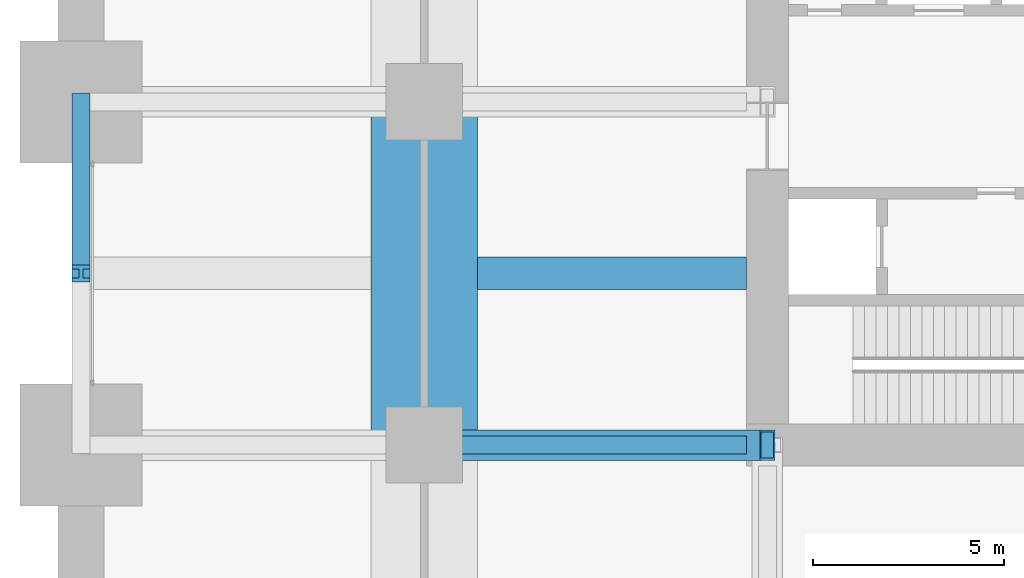
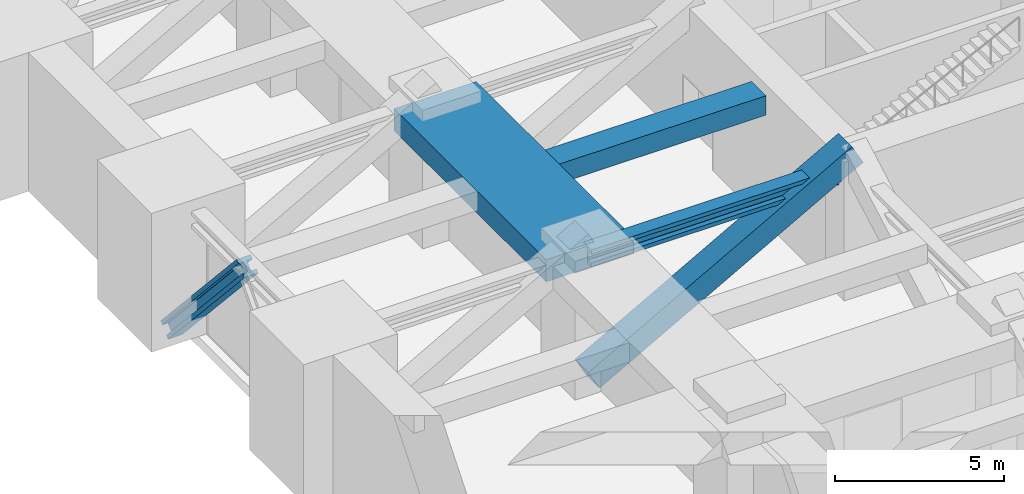
# One storey, part 10 of 38: 3 beams, 2 members.
"""IFC4 building model written with IfcOpenShell, lengths in metres."""

import ifcopenshell
import ifcopenshell.guid

model = None  # the IFC model being written
_history = None  # IfcOwnerHistory: only IFC2X3 demands one
_inside = {}  # id of a spatial element -> (the spatial element, [elements in it])
_under = {}  # id of a project, library or spatial element -> (it, [spatial elements below it])
_declared = {}  # id of a project -> (the project, [libraries it declares])
_typed = {}  # id of a type object -> (the type object, [elements of that type])
_made_of = {}  # id of a material, layer set ... -> (it, [elements and type objects made of it])


def new_model(schema):
    """Start an empty IFC model of exactly this schema.

    Asked for "IFC4X3", IfcOpenShell would pick the latest addendum, in which some entities
    have other attributes; the version numbers below select the first issue.
    IFC2X3 requires an IfcOwnerHistory on every rooted entity: one is made here for all.
    """
    global model, _history
    if schema == "IFC4X3":
        model = ifcopenshell.file(schema_version=(4, 3, 0, 0))
    else:
        model = ifcopenshell.file(schema=schema)
    _inside.clear()
    _under.clear()
    _declared.clear()
    _typed.clear()
    _made_of.clear()
    _history = None
    if model.schema == "IFC2X3":
        org = make("IfcOrganization", Name="unknown")
        user = make(
            "IfcPersonAndOrganization",
            ThePerson=make("IfcPerson", FamilyName="unknown"),
            TheOrganization=org,
        )
        app = make(
            "IfcApplication",
            ApplicationDeveloper=org,
            Version="unknown",
            ApplicationFullName="unknown",
            ApplicationIdentifier="unknown",
        )
        _history = make(
            "IfcOwnerHistory",
            OwningUser=user,
            OwningApplication=app,
            ChangeAction="ADDED",
            CreationDate=0,
        )
    return model


def make(cls, **values):
    """One entity of the class cls with the attributes given. An attribute that is None is left unset."""
    return model.create_entity(
        cls, **{name: value for name, value in values.items() if value is not None}
    )


def rooted(cls, **values):
    """An entity with a GlobalId (a new one), such as an element, a storey or a relation."""
    return make(cls, GlobalId=ifcopenshell.guid.new(), OwnerHistory=_history, **values)


def si_unit(unit_type, name, prefix=None):
    """IfcSIUnit, for example si_unit("LENGTHUNIT", "METRE", prefix="MILLI")."""
    return make("IfcSIUnit", UnitType=unit_type, Prefix=prefix, Name=name)


def assignment(units):
    """IfcUnitAssignment: the units of a project."""
    return None if units is None else make("IfcUnitAssignment", Units=units)


def point(xyz):
    """IfcCartesianPoint."""
    return None if xyz is None else make("IfcCartesianPoint", Coordinates=xyz)


def direction(xyz):
    """IfcDirection."""
    return None if xyz is None else make("IfcDirection", DirectionRatios=xyz)


def frame(location, z_axis=None, x_axis=None):
    """IfcAxis2Placement3D, a coordinate frame: its origin and axes. An axis left out is left unset."""
    return make(
        "IfcAxis2Placement3D",
        Location=point(location),
        Axis=direction(z_axis),
        RefDirection=direction(x_axis),
    )


def frame_2d(location, x_axis=None):
    """IfcAxis2Placement2D, a coordinate frame in the plane: its origin and x axis."""
    return make(
        "IfcAxis2Placement2D", Location=point(location), RefDirection=direction(x_axis)
    )


def origin():
    """The frame at (0, 0, 0) with its axes left unset."""
    return frame((0.0, 0.0, 0.0))


def origin_2d():
    """The frame at (0, 0) in the plane with its x axis left unset."""
    return frame_2d((0.0, 0.0))


def place(relative_to, where):
    """IfcLocalPlacement: puts the frame where relative to a parent placement (None: the world)."""
    return make(
        "IfcLocalPlacement", PlacementRelTo=relative_to, RelativePlacement=where
    )


def context(
    kind, dimensions, precision=None, world=None, true_north=None, identifier=None
):
    """IfcGeometricRepresentationContext, for example the 3D "Model" context."""
    return make(
        "IfcGeometricRepresentationContext",
        ContextIdentifier=identifier,
        ContextType=kind,
        CoordinateSpaceDimension=dimensions,
        Precision=precision,
        WorldCoordinateSystem=world,
        TrueNorth=true_north,
    )


def subcontext(parent, identifier, kind, view, scale=None):
    """IfcGeometricRepresentationSubContext, for example "Body" below "Model"."""
    return make(
        "IfcGeometricRepresentationSubContext",
        ContextIdentifier=identifier,
        ContextType=kind,
        ParentContext=parent,
        TargetScale=scale,
        TargetView=view,
    )


def project(units=None, contexts=None):
    """IfcProject with its units and contexts."""
    return rooted(
        "IfcProject",
        Name="project",
        RepresentationContexts=contexts,
        UnitsInContext=assignment(units),
    )


def spatial(cls, under=None, at=None, **own):
    """A site, building, storey or space (cls), placed at a placement, below another one or the project."""
    s = rooted(cls, ObjectPlacement=at, **own)
    if under is not None:
        _under.setdefault(under.id(), (under, []))[1].append(s)
    return s


def profile(cls, at=None, kind="AREA", **sizes):
    """A parametric profile (cls). Its sizes go by their IFC names, for example OverallWidth=200.0."""
    return make(cls, ProfileType=kind, Position=at, **sizes)


def rectangle(**sizes):
    """IfcRectangleProfileDef."""
    return profile("IfcRectangleProfileDef", **sizes)


def hollow_rectangle(**sizes):
    """IfcRectangleHollowProfileDef."""
    return profile("IfcRectangleHollowProfileDef", **sizes)


def i_section(**sizes):
    """IfcIShapeProfileDef."""
    return profile("IfcIShapeProfileDef", **sizes)


def extrude(swept, where, along, depth):
    """IfcExtrudedAreaSolid: the profile swept, set in the frame where, extruded along a direction by depth."""
    return make(
        "IfcExtrudedAreaSolid",
        SweptArea=swept,
        Position=where,
        ExtrudedDirection=direction(along),
        Depth=depth,
    )


def shape(context_of_items, identifier, shape_type, items):
    """IfcShapeRepresentation: the items that make up one representation, for example the "Body"."""
    return make(
        "IfcShapeRepresentation",
        ContextOfItems=context_of_items,
        RepresentationIdentifier=identifier,
        RepresentationType=shape_type,
        Items=items,
    )


def material(Name=None, Category=None):
    """IfcMaterial."""
    return make("IfcMaterial", Name=Name, Category=Category)


def material_profile(
    of_material, cross_section, Name=None, Category=None, Priority=None
):
    """IfcMaterialProfile: a cross section and its material."""
    return make(
        "IfcMaterialProfile",
        Name=Name,
        Material=of_material,
        Profile=cross_section,
        Priority=Priority,
        Category=Category,
    )


def profile_set(profiles, Name=None, composite=None):
    """IfcMaterialProfileSet."""
    return make(
        "IfcMaterialProfileSet",
        Name=Name,
        MaterialProfiles=profiles,
        CompositeProfile=composite,
    )


def made_of(thing, what):
    """Note that an element or type object is made of a material, layer set ...; save() writes the relation."""
    if what is not None:
        _made_of.setdefault(what.id(), (what, []))[1].append(thing)
    return thing


def type_object(cls, material=None, **own):
    """A type object (cls), such as IfcWallType, which elements share."""
    return made_of(rooted(cls, **own), material)


def element(
    cls,
    number,
    at=None,
    inside=None,
    cuts=None,
    type_object=None,
    material=None,
    context=None,
    identifier="Body",
    shape_type=None,
    held_by="IfcProductDefinitionShape",
    body=None,
    shapes=None,
    **own,
):
    """One element of the class cls, such as IfcWall. Its Tag is "e" and its number.

    at: its placement. inside: the storey or other place that contains it. cuts: it is an
    opening in that element (IfcRelVoidsElement). A single representation is given by context,
    identifier, shape_type and body (its items); several are given by shapes. held_by: the class
    of the entity that holds the representations. save() writes the other relations.
    """
    e = rooted(cls, Tag="e%d" % number, ObjectPlacement=at, **own)
    if body is not None:
        shapes = [shape(context, identifier, shape_type, body)]
    if shapes is not None:
        e.Representation = make(held_by, Representations=shapes)
    if inside is not None:
        _inside.setdefault(inside.id(), (inside, []))[1].append(e)
    if cuts is not None:
        rooted(
            "IfcRelVoidsElement", RelatingBuildingElement=cuts, RelatedOpeningElement=e
        )
    if type_object is not None:
        _typed.setdefault(type_object.id(), (type_object, []))[1].append(e)
    return made_of(e, material)


def aggregate(whole, parts):
    """IfcRelAggregates: a whole, such as a stair, and the parts it consists of."""
    return rooted("IfcRelAggregates", RelatingObject=whole, RelatedObjects=parts)


def save(model, path):
    """Write the relations noted so far, then the file.

    IfcRelAggregates (storeys below a building ...), IfcRelContainedInSpatialStructure (elements
    in a storey), IfcRelDefinesByType, IfcRelAssociatesMaterial and IfcRelDeclares: one each for
    every whole, place, type object, material and project.
    """
    for whole, parts in _under.values():
        aggregate(whole, parts)
    for where, things in _inside.values():
        rooted(
            "IfcRelContainedInSpatialStructure",
            RelatedElements=things,
            RelatingStructure=where,
        )
    for kind, things in _typed.values():
        rooted("IfcRelDefinesByType", RelatedObjects=things, RelatingType=kind)
    for what, things in _made_of.values():
        rooted("IfcRelAssociatesMaterial", RelatedObjects=things, RelatingMaterial=what)
    for by, libraries in _declared.values():
        rooted("IfcRelDeclares", RelatingContext=by, RelatedDefinitions=libraries)
    model.write(path)


model = new_model("IFC4")

# Units and contexts
model_context = context("Model", 3, precision=1e-05, world=origin(), true_north=direction((0.0, 1.0)))
body_context = subcontext(model_context, "Body", "Model", "MODEL_VIEW")
ifc_project = project(units=[si_unit("LENGTHUNIT", "METRE"), si_unit("AREAUNIT", "SQUARE_METRE"), si_unit("VOLUMEUNIT", "CUBIC_METRE"), si_unit("PLANEANGLEUNIT", "RADIAN"), si_unit("MASSUNIT", "GRAM", prefix="KILO")], contexts=[model_context])

# Site, building, storey
site_placement = place(None, origin())
site = spatial("IfcSite", under=ifc_project, at=site_placement, CompositionType="ELEMENT")
building_placement = place(site_placement, origin())
building = spatial("IfcBuilding", under=site, at=building_placement, Name="Zorevar Civic Tower", CompositionType="ELEMENT")
storey_placement = place(building_placement, frame((0.0, 0.0, 157.199951171875)))
storey = spatial("IfcBuildingStorey", under=building, at=storey_placement, Name="L38", CompositionType="ELEMENT", Elevation=157.199951171875)

# Beams
ifc_material_1 = material(Name="Concrete C50/60", Category="concrete")
ifc_material_profile_1 = material_profile(ifc_material_1, rectangle(XDim=2.800048828125, YDim=0.800048828125, at=origin_2d()), Name="RC 2800x800")
ifc_profile_set_1 = profile_set([ifc_material_profile_1], Name="Concrete C50/60")
beam_type_1 = type_object("IfcBeamType", Name="Beam RC 2800x800", PredefinedType="BEAM", material=ifc_profile_set_1)
beam_1_placement = place(storey_placement, frame((9.0, 18.0, 4.199951171875), z_axis=(0.0, 1.0, 0.0), x_axis=(-1.0, 0.0, 0.0)))
element("IfcBeam", 1, at=beam_1_placement, inside=storey, type_object=beam_type_1, Name="Girder L39", PredefinedType="BEAM", context=body_context, shape_type="SweptSolid", body=[
    extrude(rectangle(XDim=2.800048828125, YDim=0.800048828125, at=origin_2d()), origin(), (0.0, 0.0, 1.0), 9.0),
])
ifc_material_2 = material(Name="Concrete C50/60", Category="concrete")
ifc_material_profile_2 = material_profile(ifc_material_2, rectangle(XDim=0.85009765625, YDim=0.699951171875, at=origin_2d()), Name="RC 850x700")
ifc_profile_set_2 = profile_set([ifc_material_profile_2], Name="Concrete C50/60")
beam_type_2 = type_object("IfcBeamType", Name="Beam RC 850x700", PredefinedType="BEAM", material=ifc_profile_set_2)
beam_2_placement = place(storey_placement, frame((10.39990234375, 22.5, 4.25), z_axis=(1.0, 0.0, 0.0), x_axis=(0.0, 1.0, 0.0)))
element("IfcBeam", 2, at=beam_2_placement, inside=storey, type_object=beam_type_2, Name="Secondary beam L39", PredefinedType="BEAM", context=body_context, shape_type="SweptSolid", body=[
    extrude(rectangle(XDim=0.85009765625, YDim=0.699951171875, at=origin_2d()), origin(), (0.0, 0.0, 1.0), 7.050048828125),
])

# Member
ifc_material_3 = material(Name="Steel S460M (HISTAR 460)", Category="steel")
ifc_material_profile_3 = material_profile(ifc_material_3, i_section(OverallWidth=0.47607421875, OverallDepth=0.60009765625, WebThickness=0.10009765625, FlangeThickness=0.139892578125, FilletRadius=0.014892578125, at=origin_2d()), Name="HD 400x1299")
ifc_profile_set_3 = profile_set([ifc_material_profile_3], Name="Steel S460M (HISTAR 460)")
member_type_1 = type_object("IfcMemberType", Name="Belt strut HD 400x1299", PredefinedType="BRACE", material=ifc_profile_set_3)
member_1_placement = place(storey_placement, frame((0.0, 27.0, -0.64990234375), z_axis=(0.0, -0.672676426978, 0.739936770669), x_axis=(1.0, 0.0, 0.0)))
element("IfcMember", 3, at=member_1_placement, inside=storey, type_object=member_type_1, Name="Belt strut W L38", PredefinedType="BRACE", context=body_context, shape_type="SweptSolid", body=[
    extrude(i_section(OverallWidth=0.47607421875, OverallDepth=0.60009765625, WebThickness=0.10009765625, FlangeThickness=0.139892578125, FilletRadius=0.014892578125, at=origin_2d()), origin(), (0.0, 0.0, 1.0), 6.689697265625),
])

# Beam
ifc_material_4 = material(Name="Steel S460M (HISTAR 460)", Category="steel")
ifc_material_profile_4 = material_profile(ifc_material_4, i_section(OverallWidth=0.47607421875, OverallDepth=0.60009765625, WebThickness=0.10009765625, FlangeThickness=0.139892578125, FilletRadius=0.014892578125, at=origin_2d()), Name="HD 400x1299")
ifc_profile_set_4 = profile_set([ifc_material_profile_4], Name="Steel S460M (HISTAR 460)")
beam_type_3 = type_object("IfcBeamType", Name="Outrigger chord HD 400x1299", PredefinedType="BEAM", material=ifc_profile_set_4)
beam_3_placement = place(storey_placement, frame((9.0, 18.0, 4.300048828125), z_axis=(1.0, 0.0, 0.0), x_axis=(0.0, 1.0, 0.0)))
element("IfcBeam", 4, at=beam_3_placement, inside=storey, type_object=beam_type_3, Name="Outrigger chord L39", PredefinedType="BEAM", context=body_context, shape_type="SweptSolid", body=[
    extrude(i_section(OverallWidth=0.47607421875, OverallDepth=0.60009765625, WebThickness=0.10009765625, FlangeThickness=0.139892578125, FilletRadius=0.014892578125, at=origin_2d()), origin(), (0.0, 0.0, 1.0), 8.449951171875),
])

# Member
ifc_material_5 = material(Name="Steel S460M (HISTAR 460)", Category="steel")
ifc_material_profile_5 = material_profile(ifc_material_5, hollow_rectangle(XDim=0.800048828125, YDim=0.800048828125, WallThickness=0.06005859375, at=origin_2d()), Name="BOX 800x800x60")
ifc_profile_set_5 = profile_set([ifc_material_profile_5], Name="Steel S460M (HISTAR 460)")
member_type_2 = type_object("IfcMemberType", Name="Outrigger diagonal BOX 800x800x60", PredefinedType="BRACE", material=ifc_profile_set_5)
member_2_placement = place(storey_placement, frame((18.0, 18.0, 5.0), z_axis=(-0.874157276122, 0.0, -0.485642931179), x_axis=(0.0, -1.0, 0.0)))
element("IfcMember", 5, at=member_2_placement, inside=storey, type_object=member_type_2, Name="Outrigger diagonal W L38", PredefinedType="BRACE", context=body_context, shape_type="SweptSolid", body=[
    extrude(hollow_rectangle(XDim=0.800048828125, YDim=0.800048828125, WallThickness=0.06005859375, at=origin_2d()), origin(), (0.0, 0.0, 1.0), 10.295654296875),
])

save(model, "model.ifc")
